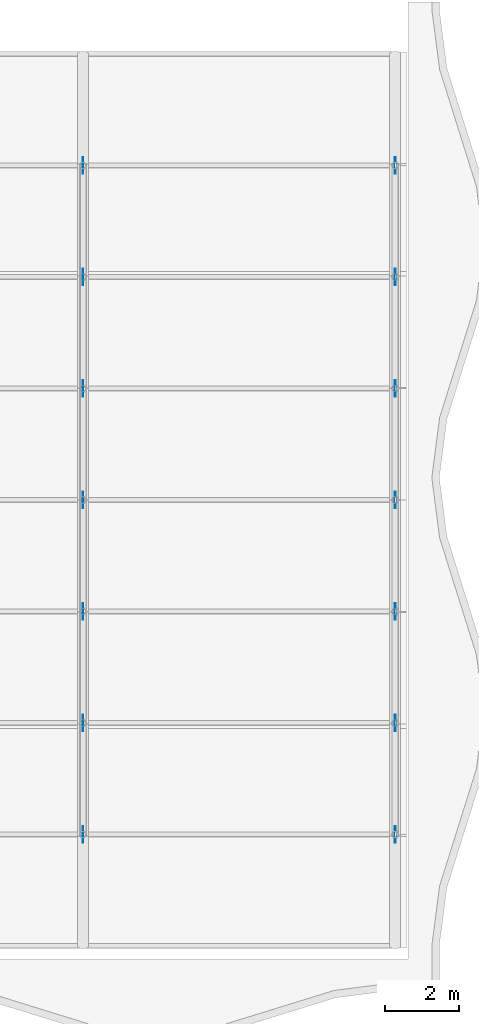
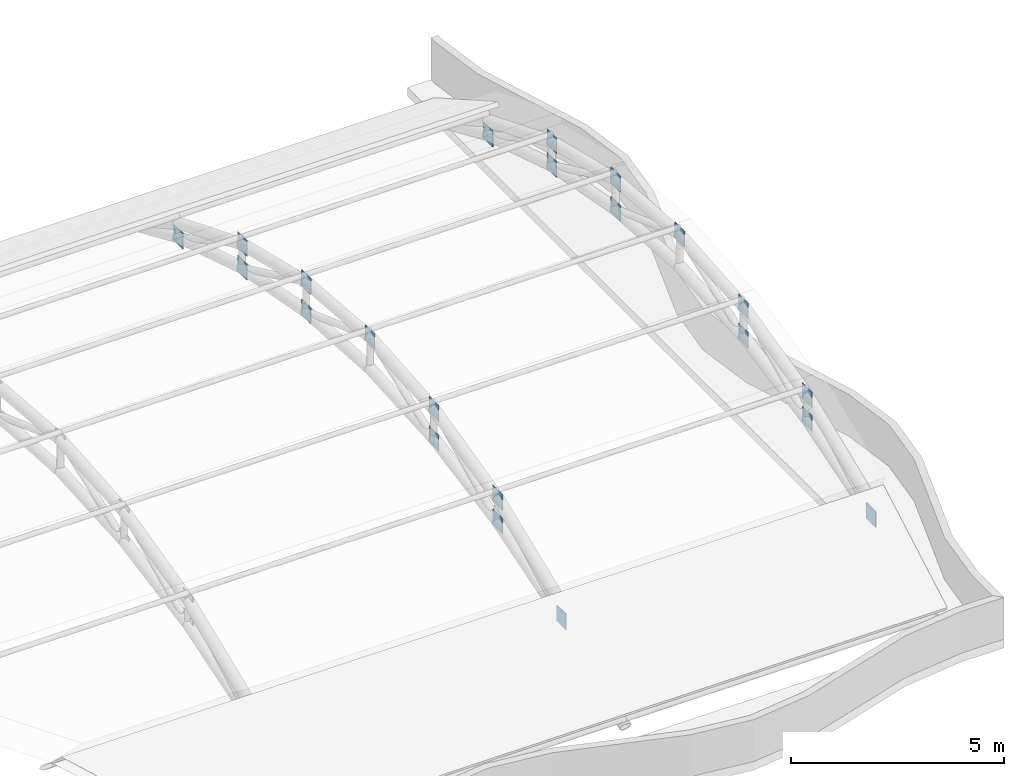
# One storey, part 147 of 163: 22 discrete accessories.
"""IFC4 building model written with IfcOpenShell, lengths in metres."""

from ifc_helpers import new_model, si_unit, direction, frame, origin, origin_2d, place, context, subcontext, project, spatial, rectangle, extrude, material, layer, layer_set, type_object, element, save


model = new_model("IFC4")

# Units and contexts
model_context = context("Model", 3, precision=1e-05, world=origin(), true_north=direction((0.0, 1.0)))
body_context = subcontext(model_context, "Body", "Model", "MODEL_VIEW")
ifc_project = project(units=[si_unit("LENGTHUNIT", "METRE"), si_unit("AREAUNIT", "SQUARE_METRE"), si_unit("VOLUMEUNIT", "CUBIC_METRE"), si_unit("PLANEANGLEUNIT", "RADIAN"), si_unit("MASSUNIT", "GRAM", prefix="KILO")], contexts=[model_context])

# Site, building, storey
site_placement = place(None, origin())
site = spatial("IfcSite", under=ifc_project, at=site_placement, CompositionType="ELEMENT")
building_placement = place(site_placement, origin())
building = spatial("IfcBuilding", under=site, at=building_placement, Name="Rain Tree Exposition and Congress Centre", CompositionType="ELEMENT")
storey_placement = place(building_placement, frame((0.0, 0.0, 10.5)))
storey = spatial("IfcBuildingStorey", under=building, at=storey_placement, Name="L02", CompositionType="ELEMENT", Elevation=10.5)

# Discrete accessories
ifc_material = material(Name="Steel plate S355J2", Category="steel")
ifc_layer = layer(ifc_material, 0.02001953125)
ifc_layer_set = layer_set([ifc_layer], Name="Steel plate S355J2")
discrete_accessory_type = type_object("IfcDiscreteAccessoryType", Name="Brace node plate 450x450x20", PredefinedType="BRACKET", material=ifc_layer_set)
for number, where, z_axis, x_axis, name in (
    (1, (260.39990234375, 78.60009765625, 1.21728515625), (0.0, 0.0, 1.0), (0.0, 1.0, 0.0), "Brace node plate 450"),
    (2, (260.39990234375, 81.60009765625, 2.830078125), (0.0, 0.0, 1.0), (0.0, -1.0, 0.0), "Brace node plate 450"),
    (3, (260.39990234375, 81.60009765625, 2.15478515625), (0.0, 0.0, 1.0), (0.0, 1.0, 0.0), "Brace node plate 450"),
    (4, (260.39990234375, 84.60009765625, 3.5615234375), (0.0, 0.0, 1.0), (0.0, -1.0, 0.0), "Brace node plate 450"),
    (5, (260.39990234375, 84.60009765625, 2.71728515625), (0.0, 0.0, 1.0), (0.0, 1.0, 0.0), "Brace node plate 450"),
    (6, (260.39990234375, 87.60009765625, 3.80517578125), (0.0, 0.0, 1.0), (0.0, 1.0, 0.0), "Brace node plate 450"),
    (7, (260.39990234375, 90.60009765625, 2.71728515625), (0.0, 0.0, 1.0), (0.0, -1.0, 0.0), "Brace node plate 450"),
    (8, (260.39990234375, 93.60009765625, 2.15478515625), (0.0, 0.0, 1.0), (0.0, -1.0, 0.0), "Brace node plate 450"),
    (9, (260.39990234375, 90.60009765625, 3.5615234375), (0.0, 0.0, 1.0), (0.0, 1.0, 0.0), "Brace node plate 450"),
    (10, (260.39990234375, 96.60009765625, 1.21728515625), (0.0, 0.0, 1.0), (0.0, -1.0, 0.0), "Brace node plate 450"),
    (11, (260.39990234375, 93.60009765625, 2.830078125), (0.0, 0.0, 1.0), (0.0, 1.0, 0.0), "Brace node plate 450"),
    (12, (268.800048828125, 78.60009765625, 1.21728515625), (0.0, 0.0, 1.0), (0.0, 1.0, 0.0), "Brace node plate 450"),
    (13, (268.800048828125, 81.60009765625, 2.830078125), (0.0, 0.0, 1.0), (0.0, -1.0, 0.0), "Brace node plate 450"),
    (14, (268.800048828125, 81.60009765625, 2.15478515625), (0.0, 0.0, 1.0), (0.0, 1.0, 0.0), "Brace node plate 450"),
    (15, (268.800048828125, 84.60009765625, 3.5615234375), (0.0, 0.0, 1.0), (0.0, -1.0, 0.0), "Brace node plate 450"),
    (16, (268.800048828125, 84.60009765625, 2.71728515625), (0.0, 0.0, 1.0), (0.0, 1.0, 0.0), "Brace node plate 450"),
    (17, (268.800048828125, 87.60009765625, 3.80517578125), (0.0, 0.0, 1.0), (0.0, 1.0, 0.0), "Brace node plate 450"),
    (18, (268.800048828125, 90.60009765625, 2.71728515625), (0.0, 0.0, 1.0), (0.0, -1.0, 0.0), "Brace node plate 450"),
    (19, (268.800048828125, 93.60009765625, 2.15478515625), (0.0, 0.0, 1.0), (0.0, -1.0, 0.0), "Brace node plate 450"),
    (20, (268.800048828125, 90.60009765625, 3.5615234375), (0.0, 0.0, 1.0), (0.0, 1.0, 0.0), "Brace node plate 450"),
    (21, (268.800048828125, 96.60009765625, 1.21728515625), (0.0, 0.0, 1.0), (0.0, -1.0, 0.0), "Brace node plate 450"),
    (22, (268.800048828125, 93.60009765625, 2.830078125), (0.0, 0.0, 1.0), (0.0, 1.0, 0.0), "Brace node plate 450"),
):
    element("IfcDiscreteAccessory", number, at=place(storey_placement, frame(where, z_axis=z_axis, x_axis=x_axis)), inside=storey, type_object=discrete_accessory_type, Name=name, PredefinedType="BRACKET", context=body_context, shape_type="SweptSolid", body=[
        extrude(rectangle(XDim=0.449951171875, YDim=0.02001953125, at=origin_2d()), origin(), (0.0, 0.0, 1.0), 0.449951171875),
    ])

save(model, "model.ifc")
